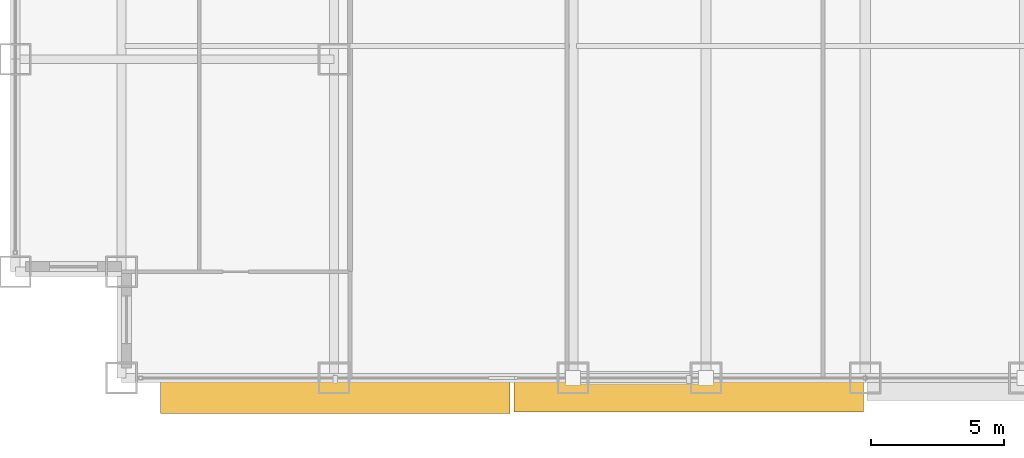
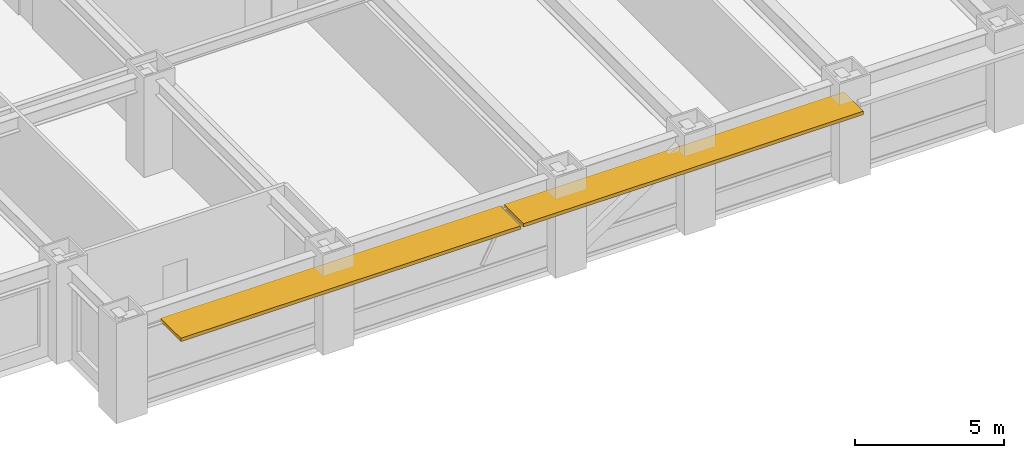
# One storey, part 28 of 32: 2 shading devices.
"""IFC4 building model written with IfcOpenShell, lengths in metres."""

from ifc_helpers import new_model, si_unit, direction, frame, origin, origin_2d, place, context, subcontext, project, spatial, rectangle, extrude, source, transform, mapped, material, layer, layer_set, type_object, element, save


model = new_model("IFC4")

# Units and contexts
model_context = context("Model", 3, precision=1e-05, world=origin(), true_north=direction((0.0, 1.0)))
body_context = subcontext(model_context, "Body", "Model", "MODEL_VIEW")
ifc_project = project(units=[si_unit("LENGTHUNIT", "METRE"), si_unit("AREAUNIT", "SQUARE_METRE"), si_unit("VOLUMEUNIT", "CUBIC_METRE"), si_unit("PLANEANGLEUNIT", "RADIAN"), si_unit("MASSUNIT", "GRAM", prefix="KILO")], contexts=[model_context])

# Site, building, storey
site_placement = place(None, origin())
site = spatial("IfcSite", under=ifc_project, at=site_placement, CompositionType="ELEMENT")
building_placement = place(site_placement, origin())
building = spatial("IfcBuilding", under=site, at=building_placement, Name="Khorayat Bourse Tower", CompositionType="ELEMENT")
storey_placement = place(building_placement, frame((0.0, 0.0, 136.5)))
storey = spatial("IfcBuildingStorey", under=building, at=storey_placement, Name="L31", CompositionType="ELEMENT", Elevation=136.5)

# Shading devices
ifc_material = material(Name="Precast concrete C45/55", Category="concrete")
ifc_layer = layer(ifc_material, 0.139892578125)
ifc_layer_set = layer_set([ifc_layer], Name="Precast concrete C45/55")
shading_device_type = type_object("IfcShadingDeviceType", Name="SHD-WAVE-TRAY-B", PredefinedType="USERDEFINED", material=ifc_layer_set)
shared_shape_1 = source(origin(), body_context, "Body", "SweptSolid", [
    extrude(rectangle(XDim=13.159912109375, YDim=1.360107421875, at=origin_2d()), origin(), (0.0, 0.0, 1.0), 0.139892578125),
])
shading_device_1_placement = place(storey_placement, frame((-19.949951171875, -32.66015625, 3.08984375), z_axis=(0.0, 0.0, 1.0), x_axis=(1.0, 0.0, 0.0)))
element("IfcShadingDevice", 1, at=shading_device_1_placement, inside=storey, type_object=shading_device_type, Name="L31 Sinusoidal Wave Sunshade Tray S-1", ObjectType="SUNSHADE", PredefinedType="USERDEFINED", context=body_context, shape_type="MappedRepresentation", body=[
    mapped(shared_shape_1, transform((0.0, 0.0, 0.0), scale=1.0)),
])
shared_shape_2 = source(origin(), body_context, "Body", "SweptSolid", [
    extrude(rectangle(XDim=13.159912109375, YDim=1.3037109375, at=origin_2d()), origin(), (0.0, 0.0, 1.0), 0.139892578125),
])
shading_device_2_placement = place(storey_placement, frame((-6.64990234375, -32.6318359375, 3.08984375), z_axis=(0.0, 0.0, 1.0), x_axis=(1.0, 0.0, 0.0)))
element("IfcShadingDevice", 2, at=shading_device_2_placement, inside=storey, type_object=shading_device_type, Name="L31 Sinusoidal Wave Sunshade Tray S-2", ObjectType="SUNSHADE", PredefinedType="USERDEFINED", context=body_context, shape_type="MappedRepresentation", body=[
    mapped(shared_shape_2, transform((0.0, 0.0, 0.0), scale=1.0)),
])

save(model, "model.ifc")
